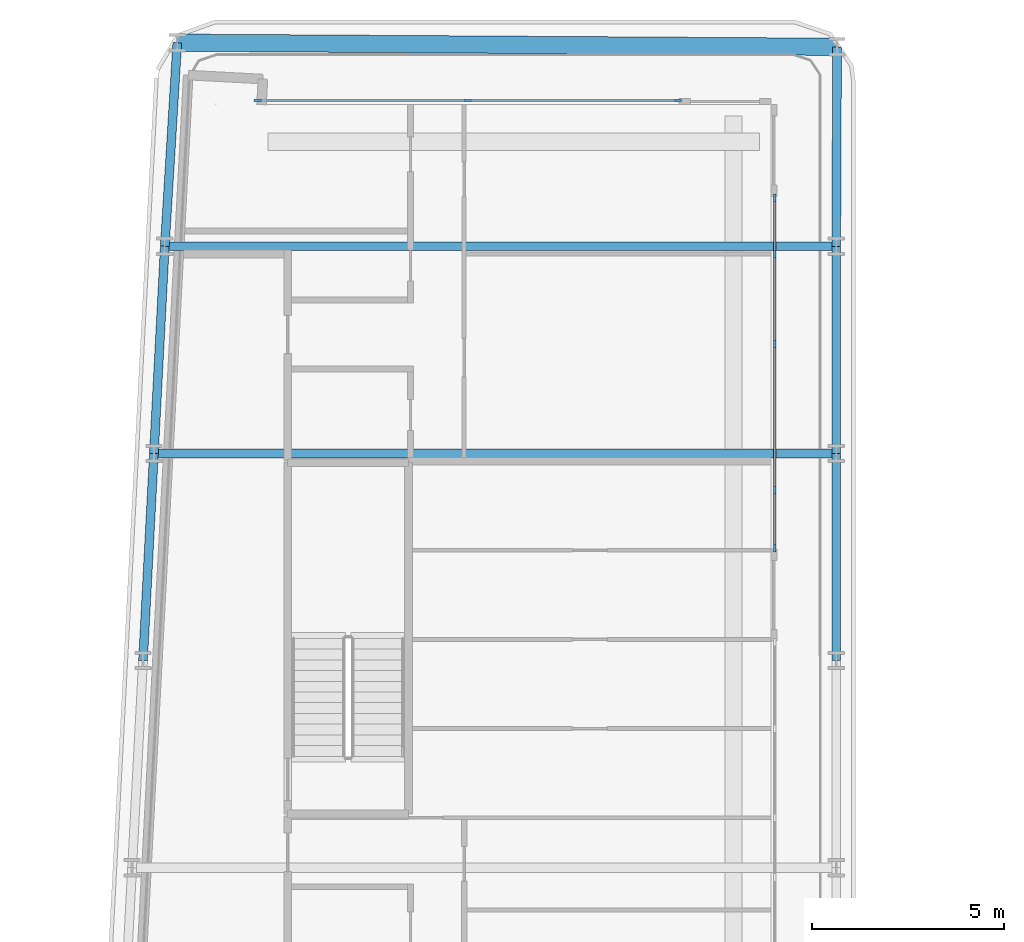
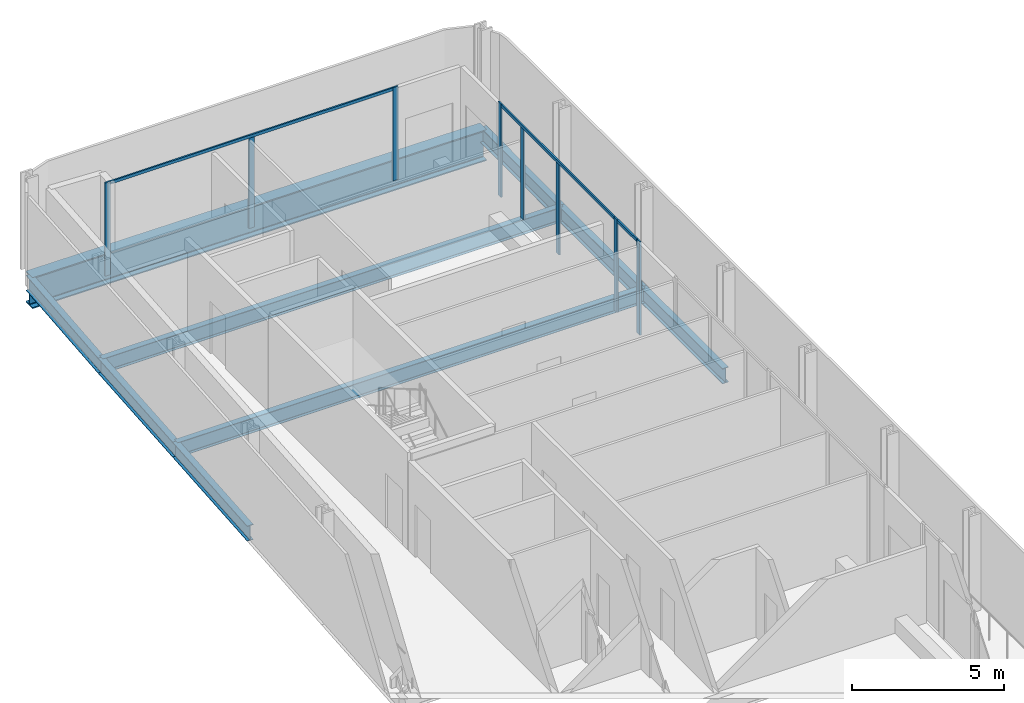
# One storey, part 9 of 27: 11 members, 9 beams, 3 elements without a shape of their own.
"""IFC4 building model written with IfcOpenShell, lengths in metres."""

from ifc_helpers import new_model, si_unit, direction, frame, origin, origin_2d, place, context, subcontext, project, spatial, rectangle, i_section, extrude, material, layer, layer_set, material_profile, profile_set, type_object, element, aggregate, save


model = new_model("IFC4")

# Units and contexts
model_context = context("Model", 3, precision=1e-05, world=origin(), true_north=direction((0.0, 1.0)))
body_context = subcontext(model_context, "Body", "Model", "MODEL_VIEW")
ifc_project = project(units=[si_unit("LENGTHUNIT", "METRE"), si_unit("AREAUNIT", "SQUARE_METRE"), si_unit("VOLUMEUNIT", "CUBIC_METRE"), si_unit("PLANEANGLEUNIT", "RADIAN"), si_unit("MASSUNIT", "GRAM", prefix="KILO")], contexts=[model_context])

# Site, building, storey
site_placement = place(None, origin())
site = spatial("IfcSite", under=ifc_project, at=site_placement, CompositionType="ELEMENT")
building_placement = place(site_placement, origin())
building = spatial("IfcBuilding", under=site, at=building_placement, Name="Kheshtan School and Residences Tower", CompositionType="ELEMENT")
storey_placement = place(building_placement, frame((0.0, 0.0, 50.0)))
storey = spatial("IfcBuildingStorey", under=building, at=storey_placement, Name="L11", CompositionType="ELEMENT", Elevation=50.0)

# Beams
ifc_material_1 = material(Name="Steel ASTM A992 Grade 50", Category="steel")
ifc_material_profile_1 = material_profile(ifc_material_1, i_section(OverallWidth=0.22802734375, OverallDepth=0.60302734375, WebThickness=0.010498046875, FlangeThickness=0.014892578125, FilletRadius=0.013427734375, at=origin_2d()), Name="W610x101")
ifc_profile_set_1 = profile_set([ifc_material_profile_1], Name="Steel ASTM A992 Grade 50")
beam_type_1 = type_object("IfcBeamType", Name="Beam FB5 W610x101 ASTM A992 Grade 50", PredefinedType="BEAM", material=ifc_profile_set_1)
beam_1_placement = place(storey_placement, frame((47.60009765625, 94.199951171875, -0.451416015625), z_axis=(-1.0, 0.0, 0.0), x_axis=(0.0, -1.0, 0.0)))
element("IfcBeam", 1, at=beam_1_placement, inside=storey, type_object=beam_type_1, Name="Floor beam C107", PredefinedType="BEAM", context=body_context, shape_type="SweptSolid", body=[
    extrude(i_section(OverallWidth=0.22802734375, OverallDepth=0.60302734375, WebThickness=0.010498046875, FlangeThickness=0.014892578125, FilletRadius=0.013427734375, at=origin_2d()), origin(), (0.0, 0.0, 1.0), 17.505126953125),
])
beam_2_placement = place(storey_placement, frame((29.81103515625, 88.800048828125, -0.451416015625), z_axis=(1.0, 0.0, 0.0), x_axis=(0.0, 1.0, 0.0)))
element("IfcBeam", 2, at=beam_2_placement, inside=storey, type_object=beam_type_1, Name="Floor beam C098", PredefinedType="BEAM", context=body_context, shape_type="SweptSolid", body=[
    extrude(i_section(OverallWidth=0.22802734375, OverallDepth=0.60302734375, WebThickness=0.010498046875, FlangeThickness=0.014892578125, FilletRadius=0.013427734375, at=origin_2d()), origin(), (0.0, 0.0, 1.0), 17.7890625),
])
ifc_material_profile_2 = material_profile(ifc_material_1, i_section(OverallWidth=0.22998046875, OverallDepth=0.616943359375, WebThickness=0.01318359375, FlangeThickness=0.022216796875, FilletRadius=0.0185546875, at=origin_2d()), Name="W610x140")
ifc_profile_set_2 = profile_set([ifc_material_profile_2], Name="Steel ASTM A992 Grade 50")
beam_type_2 = type_object("IfcBeamType", Name="Beam SP1 W610x140 ASTM A992 Grade 50", PredefinedType="BEAM", material=ifc_profile_set_2)
beam_3_placement = place(storey_placement, frame((47.6220703125, 99.40087890625, -0.45849609375), z_axis=(-0.004224719374, -0.999991075833, 0.0), x_axis=(0.999991075833, -0.004224719374, 0.0)))
element("IfcBeam", 3, at=beam_3_placement, inside=storey, type_object=beam_type_2, Name="Spandrel beam C111-C107", PredefinedType="BEAM", context=body_context, shape_type="SweptSolid", body=[
    extrude(i_section(OverallWidth=0.22998046875, OverallDepth=0.616943359375, WebThickness=0.01318359375, FlangeThickness=0.022216796875, FilletRadius=0.0185546875, at=origin_2d()), origin(), (0.0, 0.0, 1.0), 5.200927734375),
])
beam_4_placement = place(storey_placement, frame((47.60009765625, 94.199951171875, -0.45849609375), z_axis=(0.0, -1.0, 0.0), x_axis=(1.0, 0.0, 0.0)))
element("IfcBeam", 4, at=beam_4_placement, inside=storey, type_object=beam_type_2, Name="Spandrel beam C107-C099", PredefinedType="BEAM", context=body_context, shape_type="SweptSolid", body=[
    extrude(i_section(OverallWidth=0.22998046875, OverallDepth=0.616943359375, WebThickness=0.01318359375, FlangeThickness=0.022216796875, FilletRadius=0.0185546875, at=origin_2d()), origin(), (0.0, 0.0, 1.0), 5.39990234375),
])
beam_5_placement = place(storey_placement, frame((47.60009765625, 88.800048828125, -0.45849609375), z_axis=(0.0, -1.0, 0.0), x_axis=(1.0, 0.0, 0.0)))
element("IfcBeam", 5, at=beam_5_placement, inside=storey, type_object=beam_type_2, Name="Spandrel beam C099-C091", PredefinedType="BEAM", context=body_context, shape_type="SweptSolid", body=[
    extrude(i_section(OverallWidth=0.22998046875, OverallDepth=0.616943359375, WebThickness=0.01318359375, FlangeThickness=0.022216796875, FilletRadius=0.0185546875, at=origin_2d()), origin(), (0.0, 0.0, 1.0), 5.400146484375),
])
beam_6_placement = place(storey_placement, frame((29.527099609375, 83.39990234375, -0.45849609375), z_axis=(0.05250670125, 0.998620571751, 0.0), x_axis=(-0.998620571751, 0.05250670125, 0.0)))
element("IfcBeam", 6, at=beam_6_placement, inside=storey, type_object=beam_type_2, Name="Spandrel beam C090-C098", PredefinedType="BEAM", context=body_context, shape_type="SweptSolid", body=[
    extrude(i_section(OverallWidth=0.22998046875, OverallDepth=0.616943359375, WebThickness=0.01318359375, FlangeThickness=0.022216796875, FilletRadius=0.0185546875, at=origin_2d()), origin(), (0.0, 0.0, 1.0), 5.40771484375),
])
beam_7_placement = place(storey_placement, frame((29.81103515625, 88.800048828125, -0.45849609375), z_axis=(0.05250906864, 0.998620447272, 0.0), x_axis=(-0.998620447272, 0.05250906864, 0.0)))
element("IfcBeam", 7, at=beam_7_placement, inside=storey, type_object=beam_type_2, Name="Spandrel beam C098-C106", PredefinedType="BEAM", context=body_context, shape_type="SweptSolid", body=[
    extrude(i_section(OverallWidth=0.22998046875, OverallDepth=0.616943359375, WebThickness=0.01318359375, FlangeThickness=0.022216796875, FilletRadius=0.0185546875, at=origin_2d()), origin(), (0.0, 0.0, 1.0), 5.407470703125),
])
beam_8_placement = place(storey_placement, frame((30.094970703125, 94.199951171875, -0.45849609375), z_axis=(0.061275241914, 0.998120906869, 0.0), x_axis=(-0.998120906869, 0.061275241914, 0.0)))
element("IfcBeam", 8, at=beam_8_placement, inside=storey, type_object=beam_type_2, Name="Spandrel beam C106-C120", PredefinedType="BEAM", context=body_context, shape_type="SweptSolid", body=[
    extrude(i_section(OverallWidth=0.22998046875, OverallDepth=0.616943359375, WebThickness=0.01318359375, FlangeThickness=0.022216796875, FilletRadius=0.0185546875, at=origin_2d()), origin(), (0.0, 0.0, 1.0), 5.319091796875),
])

# Curtain wall, members
ifc_material_2 = material(Name="Clear low-e glass in thermally broken aluminium frame", Category="aluminium")
ifc_layer = layer(ifc_material_2, 0.199951171875)
ifc_layer_set = layer_set([ifc_layer], Name="Curtain wall CW-L")
curtain_wall_type = type_object("IfcCurtainWallType", Name="Curtain wall CW-L", PredefinedType="NOTDEFINED", material=ifc_layer_set)
curtain_wall_1_placement = place(storey_placement, origin())
curtain_wall_1 = element("IfcCurtainWall", 9, at=curtain_wall_1_placement, inside=storey, type_object=curtain_wall_type, Name="Curtain wall CWL7", PredefinedType="NOTDEFINED")
ifc_material_3 = material(Name="Thermally broken aluminium, dark bronze anodised", Category="aluminium")
ifc_material_profile_3 = material_profile(ifc_material_3, rectangle(XDim=0.06005859375, YDim=0.199951171875, at=origin_2d()), Name="CW-L mullion 60x200")
ifc_profile_set_3 = profile_set([ifc_material_profile_3], Name="Thermally broken aluminium, dark bronze anodised")
member_type_1 = type_object("IfcMemberType", Name="CW-L mullion 60x200", PredefinedType="MULLION", material=ifc_profile_set_3)
member_1_placement = place(storey_placement, frame((32.52197265625, 98.0, 0.0), z_axis=(0.0, 0.0, 1.0), x_axis=(0.0, 1.0, 0.0)))
member_1 = element("IfcMember", 10, at=member_1_placement, type_object=member_type_1, Name="CWL7 mullion 1", PredefinedType="MULLION", context=body_context, shape_type="SweptSolid", body=[
    extrude(rectangle(XDim=0.06005859375, YDim=0.199951171875, at=origin_2d()), origin(), (0.0, 0.0, 1.0), 3.75),
])
member_2_placement = place(storey_placement, frame((37.99609375, 98.0, 0.0), z_axis=(0.0, 0.0, 1.0), x_axis=(0.0, 1.0, 0.0)))
member_2 = element("IfcMember", 11, at=member_2_placement, type_object=member_type_1, Name="CWL7 mullion 2", PredefinedType="MULLION", context=body_context, shape_type="SweptSolid", body=[
    extrude(rectangle(XDim=0.06005859375, YDim=0.199951171875, at=origin_2d()), origin(), (0.0, 0.0, 1.0), 3.6298828125),
])
member_3_placement = place(storey_placement, frame((43.469970703125, 98.0, 0.0), z_axis=(0.0, 0.0, 1.0), x_axis=(0.0, 1.0, 0.0)))
member_3 = element("IfcMember", 12, at=member_3_placement, type_object=member_type_1, Name="CWL7 mullion 3", PredefinedType="MULLION", context=body_context, shape_type="SweptSolid", body=[
    extrude(rectangle(XDim=0.06005859375, YDim=0.199951171875, at=origin_2d()), origin(), (0.0, 0.0, 1.0), 3.75),
])

curtain_wall_2_placement = place(storey_placement, origin())
curtain_wall_2 = element("IfcCurtainWall", 13, at=curtain_wall_2_placement, inside=storey, type_object=curtain_wall_type, Name="Curtain wall CWL8c", PredefinedType="NOTDEFINED")
member_4_placement = place(storey_placement, frame((46.0, 95.469970703125, 0.0), z_axis=(0.0, 0.0, 1.0), x_axis=(1.0, 0.0, 0.0)))
member_4 = element("IfcMember", 14, at=member_4_placement, type_object=member_type_1, Name="CWL8c mullion 1", PredefinedType="MULLION", context=body_context, shape_type="SweptSolid", body=[
    extrude(rectangle(XDim=0.06005859375, YDim=0.199951171875, at=origin_2d()), origin(), (0.0, 0.0, 1.0), 3.75),
])
member_5_placement = place(storey_placement, frame((46.0, 94.0, 0.0), z_axis=(0.0, 0.0, 1.0), x_axis=(1.0, 0.0, 0.0)))
member_5 = element("IfcMember", 15, at=member_5_placement, type_object=member_type_1, Name="CWL8c mullion 2", PredefinedType="MULLION", context=body_context, shape_type="SweptSolid", body=[
    extrude(rectangle(XDim=0.06005859375, YDim=0.199951171875, at=origin_2d()), origin(), (0.0, 0.0, 1.0), 3.6298828125),
])
member_6_placement = place(storey_placement, frame((46.0, 91.653076171875, 0.0), z_axis=(0.0, 0.0, 1.0), x_axis=(1.0, 0.0, 0.0)))
member_6 = element("IfcMember", 16, at=member_6_placement, type_object=member_type_1, Name="CWL8c mullion 3", PredefinedType="MULLION", context=body_context, shape_type="SweptSolid", body=[
    extrude(rectangle(XDim=0.06005859375, YDim=0.199951171875, at=origin_2d()), origin(), (0.0, 0.0, 1.0), 3.6298828125),
])
member_7_placement = place(storey_placement, frame((46.0, 87.8359375, 0.0), z_axis=(0.0, 0.0, 1.0), x_axis=(1.0, 0.0, 0.0)))
member_7 = element("IfcMember", 17, at=member_7_placement, type_object=member_type_1, Name="CWL8c mullion 4", PredefinedType="MULLION", context=body_context, shape_type="SweptSolid", body=[
    extrude(rectangle(XDim=0.06005859375, YDim=0.199951171875, at=origin_2d()), origin(), (0.0, 0.0, 1.0), 3.75),
])

# Curtain wall, member
curtain_wall_3_placement = place(storey_placement, origin())
curtain_wall_3 = element("IfcCurtainWall", 18, at=curtain_wall_3_placement, inside=storey, type_object=curtain_wall_type, Name="Curtain wall CWL8a", PredefinedType="NOTDEFINED")
member_8_placement = place(storey_placement, frame((46.0, 86.3359375, 0.0), z_axis=(0.0, 0.0, 1.0), x_axis=(1.0, 0.0, 0.0)))
member_8 = element("IfcMember", 19, at=member_8_placement, type_object=member_type_1, Name="CWL8a mullion 2", PredefinedType="MULLION", context=body_context, shape_type="SweptSolid", body=[
    extrude(rectangle(XDim=0.06005859375, YDim=0.199951171875, at=origin_2d()), origin(), (0.0, 0.0, 1.0), 3.75),
])

# Member
ifc_material_profile_4 = material_profile(ifc_material_3, rectangle(XDim=0.06005859375, YDim=0.1201171875, at=origin_2d()), Name="CW-L transom 60x120")
ifc_profile_set_4 = profile_set([ifc_material_profile_4], Name="Thermally broken aluminium, dark bronze anodised")
member_type_2 = type_object("IfcMemberType", Name="CW-L transom 60x120", PredefinedType="USERDEFINED", material=ifc_profile_set_4)
member_9_placement = place(storey_placement, frame((32.552001953125, 98.0, 3.68994140625), z_axis=(1.0, 0.0, 0.0), x_axis=(0.0, 1.0, 0.0)))
member_9 = element("IfcMember", 20, at=member_9_placement, type_object=member_type_2, Name="CWL7 transom 1", ObjectType="TRANSOM", PredefinedType="USERDEFINED", context=body_context, shape_type="SweptSolid", body=[
    extrude(rectangle(XDim=0.06005859375, YDim=0.1201171875, at=origin_2d()), origin(), (0.0, 0.0, 1.0), 10.887939453125),
])

aggregate(curtain_wall_1, [member_1, member_2, member_3, member_9])

member_10_placement = place(storey_placement, frame((46.0, 95.43994140625, 3.68994140625), z_axis=(0.0, -1.0, 0.0), x_axis=(1.0, 0.0, 0.0)))
member_10 = element("IfcMember", 21, at=member_10_placement, type_object=member_type_2, Name="CWL8c transom 1", ObjectType="TRANSOM", PredefinedType="USERDEFINED", context=body_context, shape_type="SweptSolid", body=[
    extrude(rectangle(XDim=0.06005859375, YDim=0.1201171875, at=origin_2d()), origin(), (0.0, 0.0, 1.0), 7.573974609375),
])

aggregate(curtain_wall_2, [member_4, member_5, member_6, member_7, member_10])

member_11_placement = place(storey_placement, frame((46.0, 87.805908203125, 3.68994140625), z_axis=(0.0, -1.0, 0.0), x_axis=(1.0, 0.0, 0.0)))
member_11 = element("IfcMember", 22, at=member_11_placement, type_object=member_type_2, Name="CWL8a transom 1", ObjectType="TRANSOM", PredefinedType="USERDEFINED", context=body_context, shape_type="SweptSolid", body=[
    extrude(rectangle(XDim=0.06005859375, YDim=0.1201171875, at=origin_2d()), origin(), (0.0, 0.0, 1.0), 1.43994140625),
])

aggregate(curtain_wall_3, [member_8, member_11])

# Beam
ifc_material_profile_5 = material_profile(ifc_material_1, i_section(OverallWidth=0.449951171875, OverallDepth=1.25, WebThickness=0.02490234375, FlangeThickness=0.044921875, FilletRadius=0.03759765625, at=origin_2d()), Name="WWF1250x546")
ifc_profile_set_5 = profile_set([ifc_material_profile_5], Name="Steel ASTM A992 Grade 50")
beam_type_3 = type_object("IfcBeamType", Name="Transfer girder TG4 WWF1250x546 ASTM A992 Grade 50", PredefinedType="BEAM", material=ifc_profile_set_5)
beam_9_placement = place(storey_placement, frame((30.4208984375, 99.509033203125, -0.77490234375), z_axis=(0.999980233553, -0.006287487843, 0.0), x_axis=(0.006287487843, 0.999980233553, 0.0)))
element("IfcBeam", 23, at=beam_9_placement, inside=storey, type_object=beam_type_3, Name="Transfer girder C120-C111", PredefinedType="BEAM", context=body_context, shape_type="SweptSolid", body=[
    extrude(i_section(OverallWidth=0.449951171875, OverallDepth=1.25, WebThickness=0.02490234375, FlangeThickness=0.044921875, FilletRadius=0.03759765625, at=origin_2d()), origin(), (0.0, 0.0, 1.0), 17.201416015625),
])

save(model, "model.ifc")
